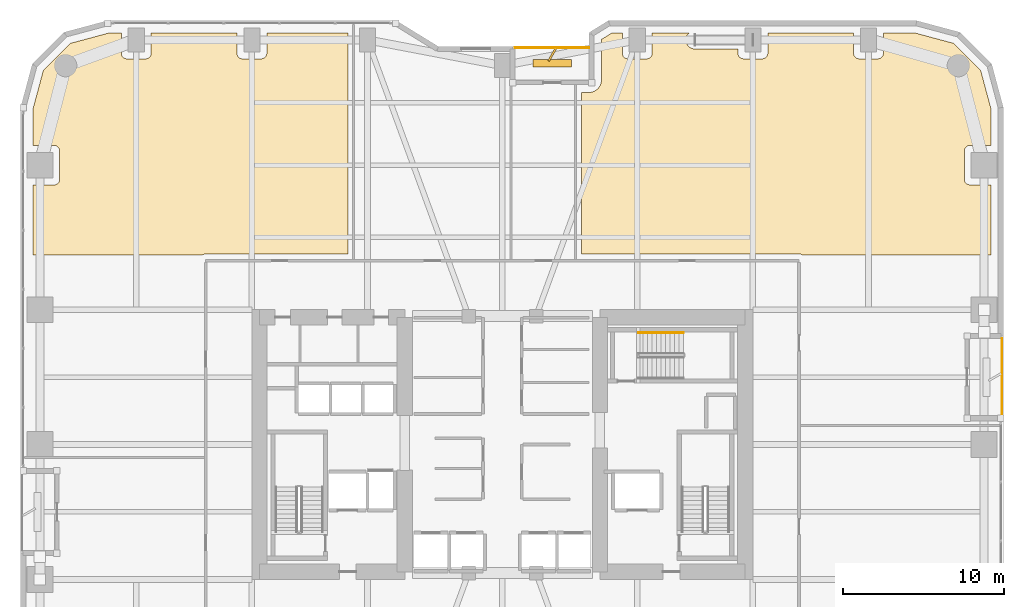
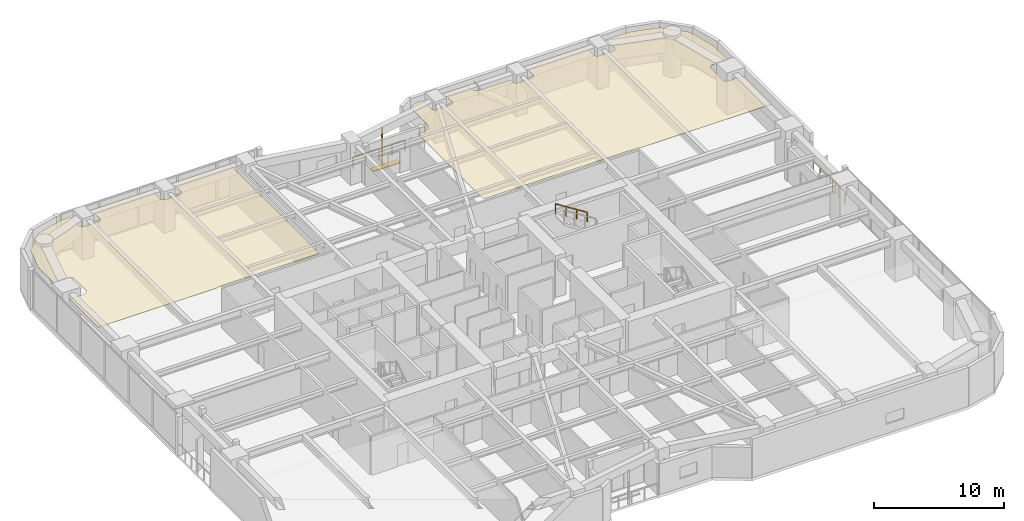
# One storey, part 28 of 28: 3 railings, 2 coverings, 2 shading devices.
"""IFC4 building model written with IfcOpenShell, lengths in metres."""

from ifc_helpers import new_model, si_unit, direction, frame, origin, origin_2d, place, context, subcontext, project, spatial, polyline, rectangle, outline, extrude, material, layer, layer_set, type_object, element, save


model = new_model("IFC4")

# Units and contexts
model_context = context("Model", 3, precision=1e-05, world=origin(), true_north=direction((0.0, 1.0)))
body_context = subcontext(model_context, "Body", "Model", "MODEL_VIEW")
ifc_project = project(units=[si_unit("LENGTHUNIT", "METRE"), si_unit("AREAUNIT", "SQUARE_METRE"), si_unit("VOLUMEUNIT", "CUBIC_METRE"), si_unit("PLANEANGLEUNIT", "RADIAN"), si_unit("MASSUNIT", "GRAM", prefix="KILO")], contexts=[model_context])

# Site, building, storey
site_placement = place(None, origin())
site = spatial("IfcSite", under=ifc_project, at=site_placement, CompositionType="ELEMENT")
building_placement = place(site_placement, origin())
building = spatial("IfcBuilding", under=site, at=building_placement, Name="Kiyonajd Concourse Tower", CompositionType="ELEMENT")
storey_placement = place(building_placement, frame((0.0, 0.0, 60.60009765625)))
storey = spatial("IfcBuildingStorey", under=building, at=storey_placement, Name="L16", CompositionType="ELEMENT", Elevation=60.60009765625)

# Coverings
ifc_material_1 = material(Name="Natural Oak Acoustic Timber Veneer", Category="wood")
ifc_layer = layer(ifc_material_1, 0.0400390625)
ifc_layer_set = layer_set([ifc_layer], Name="Natural Oak Acoustic Timber Veneer")
covering_type = type_object("IfcCoveringType", Name="CV-CLG-ACST", PredefinedType="CEILING", material=ifc_layer_set)
covering_1_placement = place(storey_placement, frame((0.0, 0.0, 3.4599609375)))
element("IfcCovering", 1, at=covering_1_placement, inside=storey, type_object=covering_type, Name="L16-48 Room Acoustic Ceiling", PredefinedType="CEILING", context=body_context, shape_type="SweptSolid", body=[
    extrude(outline(polyline([(21.097900390625, 60.986083984375), (23.5009765625, 61.6298828125), (24.27001953125, 61.6298828125), (24.27197265625, 60.3359375), (24.297119140625, 60.236083984375), (24.3291015625, 60.176025390625), (24.373046875, 60.123046875), (24.426025390625, 60.0791015625), (24.486083984375, 60.047119140625), (24.5859375, 60.02197265625), (25.81396484375, 60.02197265625), (25.9140625, 60.047119140625), (26.001953125, 60.09912109375), (26.051025390625, 60.14794921875), (26.089111328125, 60.205078125), (26.123046875, 60.302001953125), (26.1298828125, 60.3701171875), (26.1298828125, 61.6298828125), (31.469970703125, 61.6298828125), (31.471923828125, 60.3359375), (31.4970703125, 60.236083984375), (31.529052734375, 60.176025390625), (31.572998046875, 60.123046875), (31.6259765625, 60.0791015625), (31.68603515625, 60.047119140625), (31.785888671875, 60.02197265625), (32.97998046875, 60.02001953125), (33.048095703125, 60.027099609375), (33.114013671875, 60.047119140625), (33.201904296875, 60.09912109375), (33.2509765625, 60.14794921875), (33.2890625, 60.205078125), (33.322998046875, 60.302001953125), (33.330078125, 60.3701171875), (33.330078125, 61.6298828125), (38.389892578125, 61.6298828125), (38.389892578125, 47.8701171875), (29.52490234375, 47.8701171875), (29.39501953125, 47.85009765625), (29.33203125, 47.823974609375), (29.277099609375, 47.7900390625), (18.77001953125, 47.7900390625), (18.77001953125, 52.169921875), (20.080078125, 52.169921875), (20.14794921875, 52.177001953125), (20.2451171875, 52.2109375), (20.302001953125, 52.2490234375), (20.35107421875, 52.298095703125), (20.388916015625, 52.35498046875), (20.4150390625, 52.41796875), (20.429931640625, 52.52001953125), (20.429931640625, 54.280029296875), (20.4150390625, 54.382080078125), (20.388916015625, 54.445068359375), (20.35107421875, 54.501953125), (20.302001953125, 54.551025390625), (20.2451171875, 54.589111328125), (20.181884765625, 54.614990234375), (20.114013671875, 54.6279296875), (18.77001953125, 54.6298828125), (18.77001953125, 56.89892578125), (19.4140625, 59.302001953125), (21.097900390625, 60.986083984375)])), origin(), (0.0, 0.0, 1.0), 0.0400390625),
])
covering_2_placement = place(storey_placement, frame((0.0, 0.0, 3.4599609375)))
element("IfcCovering", 2, at=covering_2_placement, inside=storey, type_object=covering_type, Name="L16-51 Room Acoustic Ceiling", PredefinedType="CEILING", context=body_context, shape_type="SweptSolid", body=[
    extrude(outline(polyline([(53.532958984375, 57.94189453125), (53.639892578125, 57.968994140625), (53.72802734375, 58.00390625), (53.839111328125, 58.068115234375), (53.95703125, 58.16796875), (54.031982421875, 58.260986328125), (54.095947265625, 58.3720703125), (54.131103515625, 58.4599609375), (54.157958984375, 58.56689453125), (54.16796875, 58.658935546875), (54.169921875, 61.23095703125), (54.818115234375, 61.6298828125), (55.469970703125, 61.6298828125), (55.469970703125, 60.3701171875), (55.47705078125, 60.302001953125), (55.510986328125, 60.205078125), (55.549072265625, 60.14794921875), (55.597900390625, 60.09912109375), (55.68603515625, 60.047119140625), (55.751953125, 60.027099609375), (55.820068359375, 60.02001953125), (57.013916015625, 60.02197265625), (57.114013671875, 60.047119140625), (57.174072265625, 60.0791015625), (57.22705078125, 60.123046875), (57.27099609375, 60.176025390625), (57.302978515625, 60.236083984375), (57.327880859375, 60.3359375), (57.330078125, 61.6298828125), (59.6259765625, 61.6298828125), (59.5390625, 61.533935546875), (59.498046875, 61.469970703125), (59.467041015625, 61.40087890625), (59.43603515625, 61.27490234375), (59.429931640625, 61.199951171875), (59.43603515625, 61.125), (59.467041015625, 60.9990234375), (59.498046875, 60.929931640625), (59.5390625, 60.865966796875), (59.637939453125, 60.759033203125), (59.759033203125, 60.68408203125), (59.87109375, 60.64501953125), (59.97802734375, 60.631103515625), (62.669921875, 60.6298828125), (62.672119140625, 60.3359375), (62.68505859375, 60.26806640625), (62.7109375, 60.205078125), (62.77294921875, 60.123046875), (62.85498046875, 60.06103515625), (62.91796875, 60.034912109375), (63.02001953125, 60.02001953125), (64.214111328125, 60.02197265625), (64.31396484375, 60.047119140625), (64.3740234375, 60.0791015625), (64.427001953125, 60.123046875), (64.489013671875, 60.205078125), (64.514892578125, 60.26806640625), (64.528076171875, 60.3359375), (64.530029296875, 61.6298828125), (69.8701171875, 61.6298828125), (69.8701171875, 60.3701171875), (69.876953125, 60.302001953125), (69.89697265625, 60.236083984375), (69.928955078125, 60.176025390625), (69.998046875, 60.09912109375), (70.0859375, 60.047119140625), (70.18603515625, 60.02197265625), (71.4140625, 60.02197265625), (71.513916015625, 60.047119140625), (71.573974609375, 60.0791015625), (71.626953125, 60.123046875), (71.68896484375, 60.205078125), (71.715087890625, 60.26806640625), (71.72802734375, 60.3359375), (71.72998046875, 61.6298828125), (73.698974609375, 61.6298828125), (76.10205078125, 60.986083984375), (77.785888671875, 59.302001953125), (78.429931640625, 56.89892578125), (78.429931640625, 54.6298828125), (77.1201171875, 54.6298828125), (77.052001953125, 54.623046875), (76.986083984375, 54.60302734375), (76.926025390625, 54.571044921875), (76.84912109375, 54.501953125), (76.81103515625, 54.445068359375), (76.784912109375, 54.382080078125), (76.77001953125, 54.280029296875), (76.77001953125, 52.52001953125), (76.784912109375, 52.41796875), (76.81103515625, 52.35498046875), (76.84912109375, 52.298095703125), (76.89794921875, 52.2490234375), (76.955078125, 52.2109375), (77.01806640625, 52.18505859375), (77.0859375, 52.172119140625), (78.429931640625, 52.169921875), (78.429931640625, 47.7900390625), (66.722900390625, 47.7900390625), (66.66796875, 47.823974609375), (66.60498046875, 47.85009765625), (66.47509765625, 47.8701171875), (52.929931640625, 47.8701171875), (52.929931640625, 57.930908203125), (53.44189453125, 57.931884765625), (53.532958984375, 57.94189453125)])), origin(), (0.0, 0.0, 1.0), 0.0400390625),
])

# Railings
ifc_material_2 = material(Name="Thermally Broken Anodised Aluminium", Category="aluminium")
railing_type_1 = type_object("IfcRailingType", Name="RL-GRD-LOG", PredefinedType="GUARDRAIL", material=ifc_material_2)
railing_1_placement = place(storey_placement, frame((53.39990234375, 60.719970703125, 0.0)))
element("IfcRailing", 3, at=railing_1_placement, inside=storey, type_object=railing_type_1, Name="L16 Engawa Loggia Perimeter Guard LOG-N", PredefinedType="GUARDRAIL", context=body_context, shape_type="SweptSolid", body=[
    extrude(rectangle(XDim=0.048095703125, YDim=0.048095703125, at=origin_2d()), frame((0.0, 0.0, 1.076171875), z_axis=(-1.0, 0.0, 0.0), x_axis=(0.0, -1.0, 0.0)), (0.0, 0.0, 1.0), 4.599853515625),
    extrude(rectangle(XDim=0.0419921875, YDim=0.0419921875, at=origin_2d()), origin(), (0.0, 0.0, 1.0), 1.052001953125),
    extrude(rectangle(XDim=0.0419921875, YDim=0.0419921875, at=origin_2d()), frame((-1.14990234375, 0.0, 0.0)), (0.0, 0.0, 1.0), 1.052001953125),
    extrude(rectangle(XDim=0.0419921875, YDim=0.0419921875, at=origin_2d()), frame((-2.2998046875, 0.0, 0.0)), (0.0, 0.0, 1.0), 1.052001953125),
    extrude(rectangle(XDim=0.0419921875, YDim=0.0419921875, at=origin_2d()), frame((-3.449951171875, 0.0, 0.0)), (0.0, 0.0, 1.0), 1.052001953125),
    extrude(rectangle(XDim=0.0419921875, YDim=0.0419921875, at=origin_2d()), frame((-4.599853515625, 0.0, 0.0)), (0.0, 0.0, 1.0), 1.052001953125),
])
railing_2_placement = place(storey_placement, frame((79.1201171875, 37.800048828125, 0.0)))
element("IfcRailing", 4, at=railing_2_placement, inside=storey, type_object=railing_type_1, Name="L16 Engawa Loggia Perimeter Guard LOG-E", PredefinedType="GUARDRAIL", context=body_context, shape_type="SweptSolid", body=[
    extrude(rectangle(XDim=0.048095703125, YDim=0.048095703125, at=origin_2d()), frame((0.0, 0.0, 1.076171875), z_axis=(0.0, 1.0, 0.0), x_axis=(-1.0, 0.0, 0.0)), (0.0, 0.0, 1.0), 4.800048828125),
    extrude(rectangle(XDim=0.0419921875, YDim=0.0419921875, at=origin_2d()), origin(), (0.0, 0.0, 1.0), 1.052001953125),
    extrude(rectangle(XDim=0.0419921875, YDim=0.0419921875, at=origin_2d()), frame((0.0, 0.9599609375, 0.0)), (0.0, 0.0, 1.0), 1.052001953125),
    extrude(rectangle(XDim=0.0419921875, YDim=0.0419921875, at=origin_2d()), frame((0.0, 1.919921875, 0.0)), (0.0, 0.0, 1.0), 1.052001953125),
    extrude(rectangle(XDim=0.0419921875, YDim=0.0419921875, at=origin_2d()), frame((0.0, 2.880126953125, 0.0)), (0.0, 0.0, 1.0), 1.052001953125),
    extrude(rectangle(XDim=0.0419921875, YDim=0.0419921875, at=origin_2d()), frame((0.0, 3.840087890625, 0.0)), (0.0, 0.0, 1.0), 1.052001953125),
    extrude(rectangle(XDim=0.0419921875, YDim=0.0419921875, at=origin_2d()), frame((0.0, 4.800048828125, 0.0)), (0.0, 0.0, 1.0), 1.052001953125),
])
ifc_material_3 = material(Name="Brushed Stainless Steel Cab Assembly", Category="steel")
railing_type_2 = type_object("IfcRailingType", Name="RL-HND-900", PredefinedType="HANDRAIL", material=ifc_material_3)
railing_3_placement = place(storey_placement, frame((59.280029296875, 42.969970703125, 2.127197265625)))
element("IfcRailing", 5, at=railing_3_placement, inside=storey, type_object=railing_type_2, Name="L16 ST3 stair handrail 2", PredefinedType="HANDRAIL", context=body_context, shape_type="SweptSolid", body=[
    extrude(rectangle(XDim=0.048095703125, YDim=0.048095703125, at=origin_2d()), frame((0.0, 0.0, 0.8759765625), z_axis=(-0.844908973607, 0.0, 0.534910110503), x_axis=(0.0, -1.0, 0.0)), (0.0, 0.0, 1.0), 3.31396484375),
    extrude(rectangle(XDim=0.0419921875, YDim=0.0419921875, at=origin_2d()), origin(), (0.0, 0.0, 1.0), 0.851806640625),
    extrude(rectangle(XDim=0.0419921875, YDim=0.0419921875, at=origin_2d()), frame((-0.933349609375, 0.0, 0.5908203125)), (0.0, 0.0, 1.0), 0.851806640625),
    extrude(rectangle(XDim=0.0419921875, YDim=0.0419921875, at=origin_2d()), frame((-1.86669921875, 0.0, 1.181884765625)), (0.0, 0.0, 1.0), 0.851806640625),
    extrude(rectangle(XDim=0.0419921875, YDim=0.0419921875, at=origin_2d()), frame((-2.800048828125, 0.0, 1.772705078125)), (0.0, 0.0, 1.0), 0.851806640625),
])

# Shading devices
ifc_material_4 = material(Name="Precast concrete C50/60", Category="concrete")
shading_device_type_1 = type_object("IfcShadingDeviceType", Name="SH-FIN-900", PredefinedType="USERDEFINED", material=ifc_material_4)
shading_device_1_placement = place(storey_placement, frame((51.10009765625, 60.27001953125, 0.0), z_axis=(0.0, 0.0, 1.0), x_axis=(0.5, 0.866025403784, 0.0)))
element("IfcShadingDevice", 6, at=shading_device_1_placement, inside=storey, type_object=shading_device_type_1, Name="L16 Angled Koshi Solar Fin LOG-N", ObjectType="FIN", PredefinedType="USERDEFINED", context=body_context, shape_type="SweptSolid", body=[
    extrude(rectangle(XDim=0.89990234375, YDim=0.1201171875, at=origin_2d()), origin(), (0.0, 0.0, 1.0), 3.0),
])
shading_device_type_2 = type_object("IfcShadingDeviceType", Name="SH-LVR-600", PredefinedType="JALOUSIE", material=ifc_material_2)
shading_device_2_placement = place(storey_placement, frame((51.10009765625, 59.75, -0.000244140625), z_axis=(0.0, 0.0, 1.0), x_axis=(1.0, 0.0, 0.0)))
element("IfcShadingDevice", 7, at=shading_device_2_placement, inside=storey, type_object=shading_device_type_2, Name="L16 Loggia Threshold Louver LOG-N", PredefinedType="JALOUSIE", context=body_context, shape_type="SweptSolid", body=[
    extrude(rectangle(XDim=2.39990234375, YDim=0.449951171875, at=origin_2d()), origin(), (0.0, 0.0, 1.0), 0.10009765625),
])

save(model, "model.ifc")
